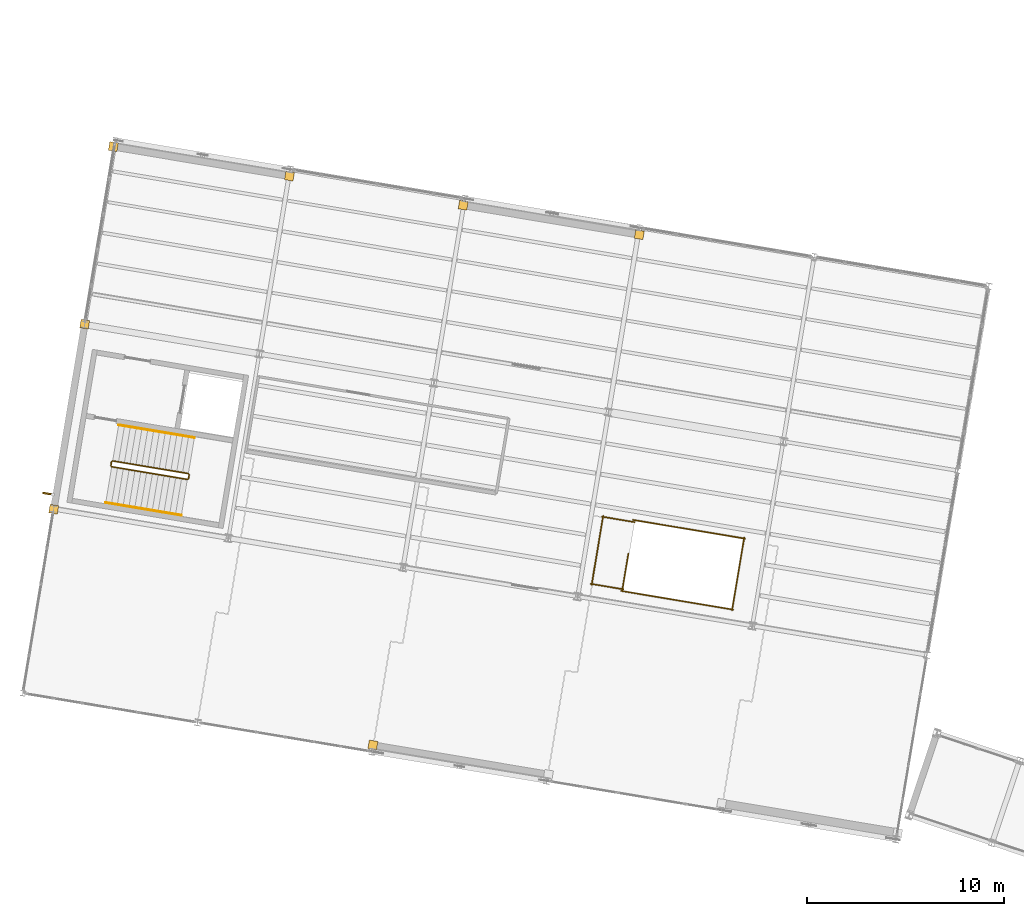
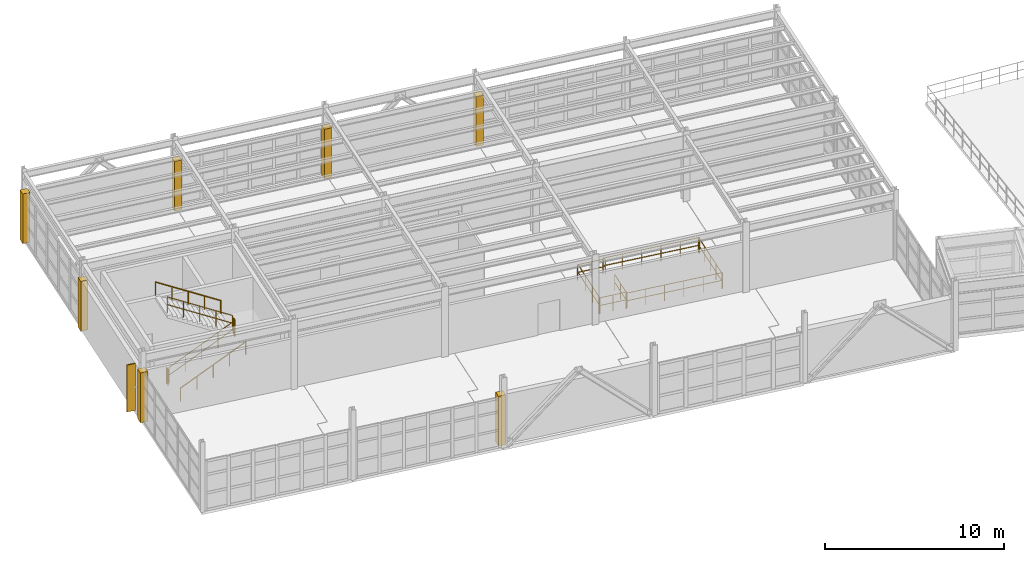
# One storey, part 100 of 102: 13 railings, 7 coverings, 1 shading device.
"""IFC4 building model written with IfcOpenShell, lengths in metres."""

from ifc_helpers import new_model, si_unit, direction, frame, origin, origin_2d, place, context, subcontext, project, spatial, rectangle, circle, extrude, material, layer, layer_set, type_object, element, save


model = new_model("IFC4")

# Units and contexts
model_context = context("Model", 3, precision=1e-05, world=origin(), true_north=direction((0.0, 1.0)))
body_context = subcontext(model_context, "Body", "Model", "MODEL_VIEW")
ifc_project = project(units=[si_unit("LENGTHUNIT", "METRE"), si_unit("AREAUNIT", "SQUARE_METRE"), si_unit("VOLUMEUNIT", "CUBIC_METRE"), si_unit("PLANEANGLEUNIT", "RADIAN"), si_unit("MASSUNIT", "GRAM", prefix="KILO")], contexts=[model_context])

# Site, building, storey
site_placement = place(None, origin())
site = spatial("IfcSite", under=ifc_project, at=site_placement, CompositionType="ELEMENT")
building_placement = place(site_placement, origin())
building = spatial("IfcBuilding", under=site, at=building_placement, Name="Vireo Bluff Cable Station", CompositionType="ELEMENT")
storey_placement = place(building_placement, frame((0.0, 0.0, 9.60009765625)))
storey = spatial("IfcBuildingStorey", under=building, at=storey_placement, Name="L02", CompositionType="ELEMENT", Elevation=9.60009765625)

# Coverings
ifc_material_1 = material(Name="Precast concrete f'c 45 MPa", Category="concrete")
ifc_layer = layer(ifc_material_1, 0.0400390625, Name="Precast concrete f'c 45 MPa")
ifc_layer_set = layer_set([ifc_layer], Name="Precast concrete f'c 45 MPa")
covering_type = type_object("IfcCoveringType", Name="COL-CLOSURE-WRAP", PredefinedType="CLADDING", material=ifc_layer_set)
for number, where, z_axis, x_axis, name in (
    (1, (23.2880859375, 68.867919921875, 0.0), (0.0, 0.0, 1.0), (0.986285601537, -0.165047605861, 0.0), "V4 L02 column pocket closure"),
    (2, (7.065185546875, 80.853515625, 0.0), (0.0, 0.0, 1.0), (0.986285601537, -0.165047605861, 0.0), "V4 L02 column pocket closure"),
    (3, (8.638671875, 90.255615234375, 0.0), (0.0, 0.0, 1.0), (0.986285601537, -0.165047605861, 0.0), "V4 L02 column pocket closure"),
    (4, (10.097900390625, 99.2822265625, 0.0), (0.0, 0.0, 1.0), (0.986285601537, -0.165047605861, 0.0), "V4 L02 column pocket closure"),
    (5, (19.04541015625, 97.784912109375, 0.0), (0.0, 0.0, 1.0), (0.986285601537, -0.165047605861, 0.0), "V4 L02 column pocket closure"),
    (6, (27.877685546875, 96.306884765625, 0.0), (0.0, 0.0, 1.0), (0.986285601537, -0.165047605861, 0.0), "V4 L02 column pocket closure"),
    (7, (36.82763671875, 94.80908203125, 0.0), (0.0, 0.0, 1.0), (0.986285601537, -0.165047605861, 0.0), "V4 L02 column pocket closure"),
):
    element("IfcCovering", number, at=place(storey_placement, frame(where, z_axis=z_axis, x_axis=x_axis)), inside=storey, type_object=covering_type, Name=name, PredefinedType="CLADDING", context=body_context, shape_type="SweptSolid", body=[
        extrude(rectangle(XDim=0.43994140625, YDim=0.43994140625, at=origin_2d()), origin(), (0.0, 0.0, 1.0), 3.39990234375),
    ])

# Shading device
ifc_material_2 = material(Name="Extruded Terracotta Solar Fin", Category="masonry")
shading_device_type = type_object("IfcShadingDeviceType", Name="SOLARFIN-520X3200", PredefinedType="SHUTTER", material=ifc_material_2)
shading_device_placement = place(storey_placement, frame((6.76171875, 81.644287109375, 0.25), z_axis=(0.0, 0.0, 1.0), x_axis=(0.165047529706, 0.986285614281, 0.0)))
element("IfcShadingDevice", 8, at=shading_device_placement, inside=storey, type_object=shading_device_type, Name="V4 L02 solar brise-soleil fin 29", PredefinedType="SHUTTER", context=body_context, shape_type="SweptSolid", body=[
    extrude(rectangle(XDim=0.080078125, YDim=0.52001953125, at=origin_2d()), origin(), (0.0, 0.0, 1.0), 3.199951171875),
])

# Railings
ifc_material_3 = material(Name="Stainless Steel 316", Category="steel")
railing_type_1 = type_object("IfcRailingType", Name="STAIR-GUARD-1100", PredefinedType="GUARDRAIL", material=ifc_material_3)
railing_1_placement = place(storey_placement, frame((10.01220703125, 83.01318359375, 0.17138671875)))
element("IfcRailing", 9, at=railing_1_placement, inside=storey, type_object=railing_type_1, Name="L02 ST-03 stair guard 1", PredefinedType="GUARDRAIL", context=body_context, shape_type="SweptSolid", body=[
    extrude(circle(Radius=0.02392578125, at=origin_2d()), frame((0.0, 0.0, 1.076171875), z_axis=(0.856333247145, -0.143329150919, 0.496135187556), x_axis=(0.165079100715, 0.986280330589, 0.0)), (0.0, 0.0, 1.0), 4.49169921875),
    extrude(circle(Radius=0.02392578125, at=origin_2d()), frame((0.0, 0.0, 0.550048828125), z_axis=(0.856333247145, -0.143329150919, 0.496135187556), x_axis=(0.165079100715, 0.986280330589, 0.0)), (0.0, 0.0, 1.0), 4.49169921875),
    extrude(circle(Radius=0.02099609375, at=origin_2d()), origin(), (0.0, 0.0, 1.0), 1.052001953125),
    extrude(circle(Radius=0.02099609375, at=origin_2d()), frame((0.961669921875, -0.160888671875, 0.55712890625)), (0.0, 0.0, 1.0), 1.052001953125),
    extrude(circle(Radius=0.02099609375, at=origin_2d()), frame((1.92333984375, -0.32177734375, 1.1142578125)), (0.0, 0.0, 1.0), 1.052001953125),
    extrude(circle(Radius=0.02099609375, at=origin_2d()), frame((2.884765625, -0.48291015625, 1.67138671875)), (0.0, 0.0, 1.0), 1.052001953125),
    extrude(circle(Radius=0.02099609375, at=origin_2d()), frame((3.846435546875, -0.643798828125, 2.228515625)), (0.0, 0.0, 1.0), 1.052001953125),
])
railing_2_placement = place(storey_placement, frame((13.916259765625, 82.41064453125, 2.39990234375)))
element("IfcRailing", 10, at=railing_2_placement, inside=storey, type_object=railing_type_1, Name="L02 ST-03 stair guard 2", PredefinedType="GUARDRAIL", context=body_context, shape_type="SweptSolid", body=[
    extrude(circle(Radius=0.02392578125, at=origin_2d()), frame((0.0, 0.0, 1.076171875), z_axis=(0.164794877674, 0.986327860446, 0.0), x_axis=(-0.986327860446, 0.164794877674, 0.0)), (0.0, 0.0, 1.0), 0.199951171875),
    extrude(circle(Radius=0.02392578125, at=origin_2d()), frame((0.0, 0.0, 0.550048828125), z_axis=(0.164794877674, 0.986327860446, 0.0), x_axis=(-0.986327860446, 0.164794877674, 0.0)), (0.0, 0.0, 1.0), 0.199951171875),
    extrude(circle(Radius=0.02099609375, at=origin_2d()), origin(), (0.0, 0.0, 1.0), 1.052001953125),
    extrude(circle(Radius=0.02099609375, at=origin_2d()), frame((0.032958984375, 0.197265625, 0.0)), (0.0, 0.0, 1.0), 1.052001953125),
])
railing_3_placement = place(storey_placement, frame((13.908203125, 82.665283203125, 2.5712890625)))
element("IfcRailing", 11, at=railing_3_placement, inside=storey, type_object=railing_type_1, Name="L02 ST-03 stair guard 3", PredefinedType="GUARDRAIL", context=body_context, shape_type="SweptSolid", body=[
    extrude(circle(Radius=0.02392578125, at=origin_2d()), frame((0.0, 0.0, 1.076171875), z_axis=(-0.856347741747, 0.143322480007, 0.496112096133), x_axis=(-0.165068908983, -0.986282036381, 0.0)), (0.0, 0.0, 1.0), 4.491943359375),
    extrude(circle(Radius=0.02392578125, at=origin_2d()), frame((0.0, 0.0, 0.550048828125), z_axis=(-0.856347741747, 0.143322480007, 0.496112096133), x_axis=(-0.165068908983, -0.986282036381, 0.0)), (0.0, 0.0, 1.0), 4.491943359375),
    extrude(circle(Radius=0.02099609375, at=origin_2d()), origin(), (0.0, 0.0, 1.0), 1.052001953125),
    extrude(circle(Radius=0.02099609375, at=origin_2d()), frame((-0.961669921875, 0.160888671875, 0.55712890625)), (0.0, 0.0, 1.0), 1.052001953125),
    extrude(circle(Radius=0.02099609375, at=origin_2d()), frame((-1.92333984375, 0.32177734375, 1.1142578125)), (0.0, 0.0, 1.0), 1.052001953125),
    extrude(circle(Radius=0.02099609375, at=origin_2d()), frame((-2.885009765625, 0.48291015625, 1.67138671875)), (0.0, 0.0, 1.0), 1.052001953125),
    extrude(circle(Radius=0.02099609375, at=origin_2d()), frame((-3.8466796875, 0.643798828125, 2.228515625)), (0.0, 0.0, 1.0), 1.052001953125),
])
railing_4_placement = place(storey_placement, frame((9.970947265625, 83.07080078125, 0.0)))
element("IfcRailing", 12, at=railing_4_placement, inside=storey, type_object=railing_type_1, Name="L02 ST-03 stair guard 4", PredefinedType="GUARDRAIL", context=body_context, shape_type="SweptSolid", body=[
    extrude(circle(Radius=0.02392578125, at=origin_2d()), frame((0.0, 0.0, 1.076171875), z_axis=(0.16598207031, 0.986128770666, 0.0), x_axis=(-0.986128770666, 0.16598207031, 0.0)), (0.0, 0.0, 1.0), 0.199951171875),
    extrude(circle(Radius=0.02392578125, at=origin_2d()), frame((0.0, 0.0, 0.550048828125), z_axis=(0.16598207031, 0.986128770666, 0.0), x_axis=(-0.986128770666, 0.16598207031, 0.0)), (0.0, 0.0, 1.0), 0.199951171875),
    extrude(circle(Radius=0.02099609375, at=origin_2d()), origin(), (0.0, 0.0, 1.0), 1.052001953125),
    extrude(circle(Radius=0.02099609375, at=origin_2d()), frame((0.033203125, 0.197265625, 0.0)), (0.0, 0.0, 1.0), 1.052001953125),
])
railing_5_placement = place(storey_placement, frame((35.96337890625, 76.744140625, 0.0)))
element("IfcRailing", 13, at=railing_5_placement, inside=storey, type_object=railing_type_1, Name="L02 ST-08 top well guard 1", PredefinedType="GUARDRAIL", context=body_context, shape_type="SweptSolid", body=[
    extrude(circle(Radius=0.02392578125, at=origin_2d()), frame((0.0, 0.0, 1.076171875), z_axis=(0.165072902134, 0.986281368059, 0.0), x_axis=(-0.986281368059, 0.165072902134, 0.0)), (0.0, 0.0, 1.0), 1.8798828125),
    extrude(circle(Radius=0.02392578125, at=origin_2d()), frame((0.0, 0.0, 0.550048828125), z_axis=(0.165072902134, 0.986281368059, 0.0), x_axis=(-0.986281368059, 0.165072902134, 0.0)), (0.0, 0.0, 1.0), 1.8798828125),
    extrude(circle(Radius=0.02099609375, at=origin_2d()), origin(), (0.0, 0.0, 1.0), 1.052001953125),
    extrude(circle(Radius=0.02099609375, at=origin_2d()), frame((0.1552734375, 0.927001953125, 0.0)), (0.0, 0.0, 1.0), 1.052001953125),
    extrude(circle(Radius=0.02099609375, at=origin_2d()), frame((0.310302734375, 1.85400390625, 0.0)), (0.0, 0.0, 1.0), 1.052001953125),
])
railing_6_placement = place(storey_placement, frame((35.90576171875, 76.702880859375, 0.0)))
element("IfcRailing", 14, at=railing_6_placement, inside=storey, type_object=railing_type_1, Name="L02 ST-08 top well guard 2", PredefinedType="GUARDRAIL", context=body_context, shape_type="SweptSolid", body=[
    extrude(circle(Radius=0.02392578125, at=origin_2d()), frame((0.0, 0.0, 1.076171875), z_axis=(0.986290809652, -0.165016480379, 0.0), x_axis=(0.165016480379, 0.986290809652, 0.0)), (0.0, 0.0, 1.0), 5.77001953125),
    extrude(circle(Radius=0.02392578125, at=origin_2d()), frame((0.0, 0.0, 0.550048828125), z_axis=(0.986290809652, -0.165016480379, 0.0), x_axis=(0.165016480379, 0.986290809652, 0.0)), (0.0, 0.0, 1.0), 5.77001953125),
    extrude(circle(Radius=0.02099609375, at=origin_2d()), origin(), (0.0, 0.0, 1.0), 1.052001953125),
    extrude(circle(Radius=0.02099609375, at=origin_2d()), frame((1.13818359375, -0.1904296875, 0.0)), (0.0, 0.0, 1.0), 1.052001953125),
    extrude(circle(Radius=0.02099609375, at=origin_2d()), frame((2.2763671875, -0.380859375, 0.0)), (0.0, 0.0, 1.0), 1.052001953125),
    extrude(circle(Radius=0.02099609375, at=origin_2d()), frame((3.41455078125, -0.5712890625, 0.0)), (0.0, 0.0, 1.0), 1.052001953125),
    extrude(circle(Radius=0.02099609375, at=origin_2d()), frame((4.552734375, -0.76171875, 0.0)), (0.0, 0.0, 1.0), 1.052001953125),
    extrude(circle(Radius=0.02099609375, at=origin_2d()), frame((5.69091796875, -0.9521484375, 0.0)), (0.0, 0.0, 1.0), 1.052001953125),
])
railing_7_placement = place(storey_placement, frame((36.509765625, 80.312744140625, 0.0)))
element("IfcRailing", 15, at=railing_7_placement, inside=storey, type_object=railing_type_1, Name="L02 ST-08 top well guard 3", PredefinedType="GUARDRAIL", context=body_context, shape_type="SweptSolid", body=[
    extrude(circle(Radius=0.02392578125, at=origin_2d()), frame((0.0, 0.0, 1.076171875), z_axis=(0.986283922397, -0.165057639694, 0.0), x_axis=(0.165057639694, 0.986283922397, 0.0)), (0.0, 0.0, 1.0), 5.77001953125),
    extrude(circle(Radius=0.02392578125, at=origin_2d()), frame((0.0, 0.0, 0.550048828125), z_axis=(0.986283922397, -0.165057639694, 0.0), x_axis=(0.165057639694, 0.986283922397, 0.0)), (0.0, 0.0, 1.0), 5.77001953125),
    extrude(circle(Radius=0.02099609375, at=origin_2d()), origin(), (0.0, 0.0, 1.0), 1.052001953125),
    extrude(circle(Radius=0.02099609375, at=origin_2d()), frame((1.13818359375, -0.1904296875, 0.0)), (0.0, 0.0, 1.0), 1.052001953125),
    extrude(circle(Radius=0.02099609375, at=origin_2d()), frame((2.2763671875, -0.380859375, 0.0)), (0.0, 0.0, 1.0), 1.052001953125),
    extrude(circle(Radius=0.02099609375, at=origin_2d()), frame((3.41455078125, -0.571533203125, 0.0)), (0.0, 0.0, 1.0), 1.052001953125),
    extrude(circle(Radius=0.02099609375, at=origin_2d()), frame((4.552734375, -0.761962890625, 0.0)), (0.0, 0.0, 1.0), 1.052001953125),
    extrude(circle(Radius=0.02099609375, at=origin_2d()), frame((5.69091796875, -0.952392578125, 0.0)), (0.0, 0.0, 1.0), 1.052001953125),
])
railing_8_placement = place(storey_placement, frame((41.5390625, 75.70947265625, 0.0)))
element("IfcRailing", 16, at=railing_8_placement, inside=storey, type_object=railing_type_1, Name="L02 ST-08 top well guard 4", PredefinedType="GUARDRAIL", context=body_context, shape_type="SweptSolid", body=[
    extrude(circle(Radius=0.02392578125, at=origin_2d()), frame((0.0, 0.0, 1.076171875), z_axis=(0.165051759845, 0.98628490639, 0.0), x_axis=(-0.98628490639, 0.165051759845, 0.0)), (0.0, 0.0, 1.0), 3.760009765625),
    extrude(circle(Radius=0.02392578125, at=origin_2d()), frame((0.0, 0.0, 0.550048828125), z_axis=(0.165051759845, 0.98628490639, 0.0), x_axis=(-0.98628490639, 0.165051759845, 0.0)), (0.0, 0.0, 1.0), 3.760009765625),
    extrude(circle(Radius=0.02099609375, at=origin_2d()), origin(), (0.0, 0.0, 1.0), 1.052001953125),
    extrude(circle(Radius=0.02099609375, at=origin_2d()), frame((0.1552734375, 0.92724609375, 0.0)), (0.0, 0.0, 1.0), 1.052001953125),
    extrude(circle(Radius=0.02099609375, at=origin_2d()), frame((0.310302734375, 1.854248046875, 0.0)), (0.0, 0.0, 1.0), 1.052001953125),
    extrude(circle(Radius=0.02099609375, at=origin_2d()), frame((0.46533203125, 2.78125, 0.0)), (0.0, 0.0, 1.0), 1.052001953125),
    extrude(circle(Radius=0.02099609375, at=origin_2d()), frame((0.62060546875, 3.70849609375, 0.0)), (0.0, 0.0, 1.0), 1.052001953125),
])
railing_9_placement = place(storey_placement, frame((34.364013671875, 77.062255859375, 0.0)))
element("IfcRailing", 17, at=railing_9_placement, inside=storey, type_object=railing_type_1, Name="L02 ST-08 top well guard 5", PredefinedType="GUARDRAIL", context=body_context, shape_type="SweptSolid", body=[
    extrude(circle(Radius=0.02392578125, at=origin_2d()), frame((0.0, 0.0, 1.076171875), z_axis=(0.986299484919, -0.164964620599, 0.0), x_axis=(0.164964620599, 0.986299484919, 0.0)), (0.0, 0.0, 1.0), 1.6796875),
    extrude(circle(Radius=0.02392578125, at=origin_2d()), frame((0.0, 0.0, 0.550048828125), z_axis=(0.986299484919, -0.164964620599, 0.0), x_axis=(0.164964620599, 0.986299484919, 0.0)), (0.0, 0.0, 1.0), 1.6796875),
    extrude(circle(Radius=0.02099609375, at=origin_2d()), origin(), (0.0, 0.0, 1.0), 1.052001953125),
    extrude(circle(Radius=0.02099609375, at=origin_2d()), frame((0.828369140625, -0.138671875, 0.0)), (0.0, 0.0, 1.0), 1.052001953125),
    extrude(circle(Radius=0.02099609375, at=origin_2d()), frame((1.65673828125, -0.277099609375, 0.0)), (0.0, 0.0, 1.0), 1.052001953125),
])
railing_10_placement = place(storey_placement, frame((34.93505859375, 80.474853515625, 0.0)))
element("IfcRailing", 18, at=railing_10_placement, inside=storey, type_object=railing_type_1, Name="L02 ST-08 top well guard 6", PredefinedType="GUARDRAIL", context=body_context, shape_type="SweptSolid", body=[
    extrude(circle(Radius=0.02392578125, at=origin_2d()), frame((0.0, 0.0, 1.076171875), z_axis=(0.986303439342, -0.164940975932, 0.0), x_axis=(0.164940975932, 0.986303439342, 0.0)), (0.0, 0.0, 1.0), 1.679931640625),
    extrude(circle(Radius=0.02392578125, at=origin_2d()), frame((0.0, 0.0, 0.550048828125), z_axis=(0.986303439342, -0.164940975932, 0.0), x_axis=(0.164940975932, 0.986303439342, 0.0)), (0.0, 0.0, 1.0), 1.679931640625),
    extrude(circle(Radius=0.02099609375, at=origin_2d()), origin(), (0.0, 0.0, 1.0), 1.052001953125),
    extrude(circle(Radius=0.02099609375, at=origin_2d()), frame((0.82861328125, -0.138671875, 0.0)), (0.0, 0.0, 1.0), 1.052001953125),
    extrude(circle(Radius=0.02099609375, at=origin_2d()), frame((1.656982421875, -0.277099609375, 0.0)), (0.0, 0.0, 1.0), 1.052001953125),
])
railing_11_placement = place(storey_placement, frame((34.405029296875, 77.0048828125, 0.0)))
element("IfcRailing", 19, at=railing_11_placement, inside=storey, type_object=railing_type_1, Name="L02 ST-08 top well guard 7", PredefinedType="GUARDRAIL", context=body_context, shape_type="SweptSolid", body=[
    extrude(circle(Radius=0.02392578125, at=origin_2d()), frame((0.0, 0.0, 1.076171875), z_axis=(0.165010641703, 0.986291786504, 0.0), x_axis=(-0.986291786504, 0.165010641703, 0.0)), (0.0, 0.0, 1.0), 3.559814453125),
    extrude(circle(Radius=0.02392578125, at=origin_2d()), frame((0.0, 0.0, 0.550048828125), z_axis=(0.165010641703, 0.986291786504, 0.0), x_axis=(-0.986291786504, 0.165010641703, 0.0)), (0.0, 0.0, 1.0), 3.559814453125),
    extrude(circle(Radius=0.02099609375, at=origin_2d()), origin(), (0.0, 0.0, 1.0), 1.052001953125),
    extrude(circle(Radius=0.02099609375, at=origin_2d()), frame((0.19580078125, 1.17041015625, 0.0)), (0.0, 0.0, 1.0), 1.052001953125),
    extrude(circle(Radius=0.02099609375, at=origin_2d()), frame((0.3916015625, 2.340576171875, 0.0)), (0.0, 0.0, 1.0), 1.052001953125),
    extrude(circle(Radius=0.02099609375, at=origin_2d()), frame((0.58740234375, 3.510986328125, 0.0)), (0.0, 0.0, 1.0), 1.052001953125),
])
railing_type_2 = type_object("IfcRailingType", Name="STAIR-HANDRAIL-900", PredefinedType="HANDRAIL", material=ifc_material_3)
railing_12_placement = place(storey_placement, frame((9.706787109375, 81.1884765625, 0.17138671875)))
element("IfcRailing", 20, at=railing_12_placement, inside=storey, type_object=railing_type_2, Name="L02 ST-03 stair handrail 1", PredefinedType="HANDRAIL", context=body_context, shape_type="SweptSolid", body=[
    extrude(circle(Radius=0.02392578125, at=origin_2d()), frame((0.0, 0.0, 0.8759765625), z_axis=(0.856339917124, -0.143275913776, 0.496139051952), x_axis=(0.165018204621, 0.986290521167, 0.0)), (0.0, 0.0, 1.0), 4.49169921875),
    extrude(circle(Radius=0.02099609375, at=origin_2d()), origin(), (0.0, 0.0, 1.0), 0.851806640625),
    extrude(circle(Radius=0.02099609375, at=origin_2d()), frame((0.961669921875, -0.160888671875, 0.55712890625)), (0.0, 0.0, 1.0), 0.851806640625),
    extrude(circle(Radius=0.02099609375, at=origin_2d()), frame((1.92333984375, -0.32177734375, 1.1142578125)), (0.0, 0.0, 1.0), 0.851806640625),
    extrude(circle(Radius=0.02099609375, at=origin_2d()), frame((2.884765625, -0.482666015625, 1.67138671875)), (0.0, 0.0, 1.0), 0.851806640625),
    extrude(circle(Radius=0.02099609375, at=origin_2d()), frame((3.846435546875, -0.6435546875, 2.228515625)), (0.0, 0.0, 1.0), 0.851806640625),
])
railing_13_placement = place(storey_placement, frame((14.21337890625, 84.489990234375, 2.5712890625)))
element("IfcRailing", 21, at=railing_13_placement, inside=storey, type_object=railing_type_2, Name="L02 ST-03 stair handrail 2", PredefinedType="HANDRAIL", context=body_context, shape_type="SweptSolid", body=[
    extrude(circle(Radius=0.02392578125, at=origin_2d()), frame((0.0, 0.0, 0.8759765625), z_axis=(-0.856333247145, 0.143329150919, 0.496135187556), x_axis=(-0.165079100715, -0.986280330589, 0.0)), (0.0, 0.0, 1.0), 4.49169921875),
    extrude(circle(Radius=0.02099609375, at=origin_2d()), origin(), (0.0, 0.0, 1.0), 0.851806640625),
    extrude(circle(Radius=0.02099609375, at=origin_2d()), frame((-0.961669921875, 0.160888671875, 0.55712890625)), (0.0, 0.0, 1.0), 0.851806640625),
    extrude(circle(Radius=0.02099609375, at=origin_2d()), frame((-1.92333984375, 0.32177734375, 1.1142578125)), (0.0, 0.0, 1.0), 0.851806640625),
    extrude(circle(Radius=0.02099609375, at=origin_2d()), frame((-2.884765625, 0.48291015625, 1.67138671875)), (0.0, 0.0, 1.0), 0.851806640625),
    extrude(circle(Radius=0.02099609375, at=origin_2d()), frame((-3.846435546875, 0.643798828125, 2.228515625)), (0.0, 0.0, 1.0), 0.851806640625),
])

save(model, "model.ifc")
